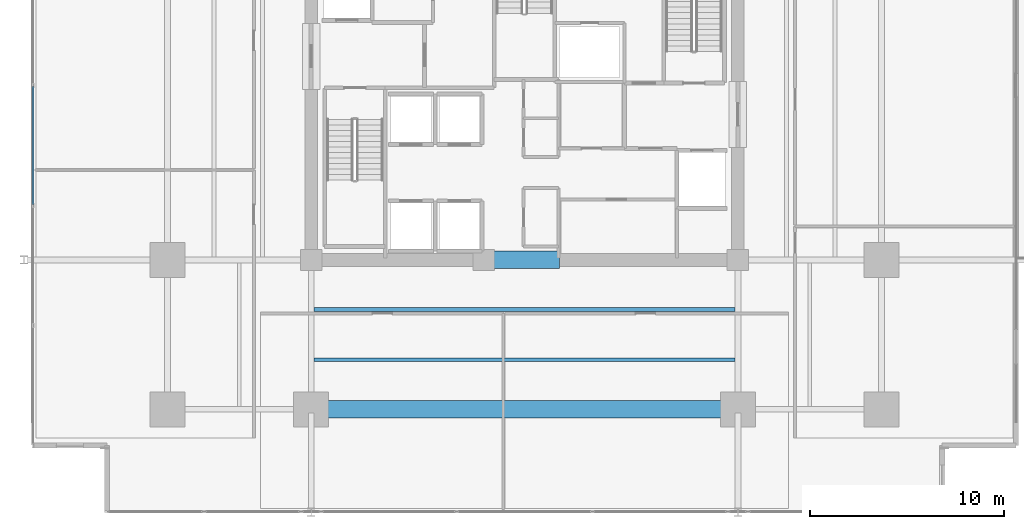
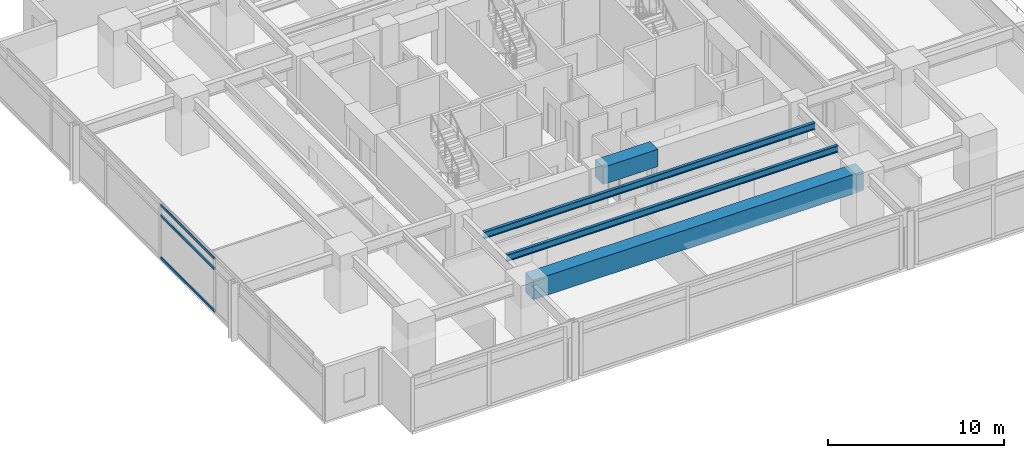
# One storey, part 5 of 22: 4 beams, 3 members, 1 element without a shape of its own.
"""IFC4 building model written with IfcOpenShell, lengths in metres."""

from ifc_helpers import new_model, si_unit, direction, frame, origin, origin_2d, place, context, subcontext, project, spatial, rectangle, hollow_rectangle, i_section, extrude, material, material_profile, profile_set, type_object, element, aggregate, save


model = new_model("IFC4")

# Units and contexts
model_context = context("Model", 3, precision=1e-05, world=origin(), true_north=direction((0.0, 1.0)))
body_context = subcontext(model_context, "Body", "Model", "MODEL_VIEW")
ifc_project = project(units=[si_unit("LENGTHUNIT", "METRE"), si_unit("AREAUNIT", "SQUARE_METRE"), si_unit("VOLUMEUNIT", "CUBIC_METRE"), si_unit("PLANEANGLEUNIT", "RADIAN"), si_unit("MASSUNIT", "GRAM", prefix="KILO")], contexts=[model_context])

# Site, building, storey
site_placement = place(None, origin())
site = spatial("IfcSite", under=ifc_project, at=site_placement, CompositionType="ELEMENT")
building_placement = place(site_placement, origin())
building = spatial("IfcBuilding", under=site, at=building_placement, Name="Kovane Verandah Tower", CompositionType="ELEMENT")
storey_placement = place(building_placement, frame((0.0, 0.0, 43.60009765625)))
storey = spatial("IfcBuildingStorey", under=building, at=storey_placement, Name="L09", CompositionType="ELEMENT", Elevation=43.60009765625)

# Beams
ifc_material_1 = material(Name="Concrete C80/95", Category="concrete")
ifc_material_profile_1 = material_profile(ifc_material_1, rectangle(XDim=0.89990234375, YDim=1.199951171875, at=origin_2d()), Name="RCB900x1200")
ifc_profile_set_1 = profile_set([ifc_material_profile_1], Name="Concrete C80/95")
beam_type_1 = type_object("IfcBeamType", Name="BM-LINTEL-900x1200", PredefinedType="LINTEL", material=ifc_profile_set_1)
beam_1_placement = place(storey_placement, frame((38.199951171875, 18.5, 3.159912109375), z_axis=(1.0, 0.0, 0.0), x_axis=(0.0, 1.0, 0.0)))
element("IfcBeam", 1, at=beam_1_placement, inside=storey, type_object=beam_type_1, Name="L09 Core Coupling Lintel CL-S", PredefinedType="LINTEL", context=body_context, shape_type="SweptSolid", body=[
    extrude(rectangle(XDim=0.89990234375, YDim=1.199951171875, at=origin_2d()), origin(), (0.0, 0.0, 1.0), 3.60009765625),
])
ifc_material_profile_2 = material_profile(ifc_material_1, rectangle(XDim=0.89990234375, YDim=1.35009765625, at=origin_2d()), Name="RCB900x1350")
ifc_profile_set_2 = profile_set([ifc_material_profile_2], Name="Concrete C80/95")
beam_type_2 = type_object("IfcBeamType", Name="BM-TR-900x1350", PredefinedType="BEAM", material=ifc_profile_set_2)
beam_2_placement = place(storey_placement, frame((29.179931640625, 10.800048828125, 3.0849609375), z_axis=(1.0, 0.0, 0.0), x_axis=(0.0, 1.0, 0.0)))
element("IfcBeam", 2, at=beam_2_placement, inside=storey, type_object=beam_type_2, Name="L09 Primary Tower Girder G-RS2", PredefinedType="BEAM", context=body_context, shape_type="SweptSolid", body=[
    extrude(rectangle(XDim=0.89990234375, YDim=1.35009765625, at=origin_2d()), origin(), (0.0, 0.0, 1.0), 21.64013671875),
])

# Curtain wall, members
ifc_material_2 = material(Name="Champagne Anodised Aluminium Frame with Low-E Clear Laminated Glass", Category="aluminium")
curtain_wall_type = type_object("IfcCurtainWallType", Name="CW-SYS-02-LOW", PredefinedType="NOTDEFINED", material=ifc_material_2)
curtain_wall_placement = place(storey_placement, origin())
curtain_wall = element("IfcCurtainWall", 3, at=curtain_wall_placement, inside=storey, type_object=curtain_wall_type, Name="L09 W Unitised Curtain Wall", PredefinedType="NOTDEFINED")
ifc_material_3 = material(Name="Champagne Anodised Aluminium 6063-T6", Category="aluminium")
ifc_material_profile_3 = material_profile(ifc_material_3, hollow_rectangle(XDim=0.0849609375, YDim=0.18994140625, WallThickness=0.00390625, at=origin_2d()), Name="AL85x190x4")
ifc_profile_set_3 = profile_set([ifc_material_profile_3], Name="Champagne Anodised Aluminium 6063-T6")
member_type = type_object("IfcMemberType", Name="CW-TRN-85x190", PredefinedType="USERDEFINED", material=ifc_profile_set_3)
member_1_placement = place(storey_placement, frame((14.6669921875, 27.449951171875, 0.0498046875), z_axis=(0.0, -1.0, 0.0), x_axis=(1.0, 0.0, 0.0)))
member_1 = element("IfcMember", 4, at=member_1_placement, type_object=member_type, Name="L09 W Unitised Curtain Wall Transom TB Bay 4", ObjectType="TRANSOM", PredefinedType="USERDEFINED", context=body_context, shape_type="SweptSolid", body=[
    extrude(hollow_rectangle(XDim=0.0849609375, YDim=0.18994140625, WallThickness=0.00390625, at=origin_2d()), origin(), (0.0, 0.0, 1.0), 6.091064453125),
])
member_2_placement = place(storey_placement, frame((14.6669921875, 27.449951171875, 2.97998046875), z_axis=(0.0, -1.0, 0.0), x_axis=(1.0, 0.0, 0.0)))
member_2 = element("IfcMember", 5, at=member_2_placement, type_object=member_type, Name="L09 W Unitised Curtain Wall Transom TM Bay 4", ObjectType="TRANSOM", PredefinedType="USERDEFINED", context=body_context, shape_type="SweptSolid", body=[
    extrude(hollow_rectangle(XDim=0.0849609375, YDim=0.18994140625, WallThickness=0.00390625, at=origin_2d()), origin(), (0.0, 0.0, 1.0), 6.091064453125),
])
member_3_placement = place(storey_placement, frame((14.6669921875, 27.449951171875, 3.7099609375), z_axis=(0.0, -1.0, 0.0), x_axis=(1.0, 0.0, 0.0)))
member_3 = element("IfcMember", 6, at=member_3_placement, type_object=member_type, Name="L09 W Unitised Curtain Wall Transom TT Bay 4", ObjectType="TRANSOM", PredefinedType="USERDEFINED", context=body_context, shape_type="SweptSolid", body=[
    extrude(hollow_rectangle(XDim=0.0849609375, YDim=0.18994140625, WallThickness=0.00390625, at=origin_2d()), origin(), (0.0, 0.0, 1.0), 6.091064453125),
])
aggregate(curtain_wall, [member_1, member_2, member_3])

# Beams
ifc_material_4 = material(Name="Steel S355", Category="steel")
ifc_material_profile_4 = material_profile(ifc_material_4, i_section(OverallWidth=0.19287109375, OverallDepth=0.46728515625, WebThickness=0.011474609375, FlangeThickness=0.01953125, FilletRadius=0.01025390625, at=origin_2d()), Name="UB457x191x98")
ifc_profile_set_4 = profile_set([ifc_material_profile_4], Name="Steel S355")
beam_type_3 = type_object("IfcBeamType", Name="JST-UB457x98", PredefinedType="JOIST", material=ifc_profile_set_4)
for number, where, z_axis, x_axis, name in (
    (7, (29.14501953125, 13.35009765625, 3.5263671875), (1.0, 0.0, 0.0), (0.0, 1.0, 0.0), "L09 Secondary Composite Joist J-S1"),
    (8, (29.14501953125, 15.949951171875, 3.5263671875), (1.0, 0.0, 0.0), (0.0, 1.0, 0.0), "L09 Secondary Composite Joist J-S2"),
):
    element("IfcBeam", number, at=place(storey_placement, frame(where, z_axis=z_axis, x_axis=x_axis)), inside=storey, type_object=beam_type_3, Name=name, PredefinedType="JOIST", context=body_context, shape_type="SweptSolid", body=[
        extrude(i_section(OverallWidth=0.19287109375, OverallDepth=0.46728515625, WebThickness=0.011474609375, FlangeThickness=0.01953125, FilletRadius=0.01025390625, at=origin_2d()), origin(), (0.0, 0.0, 1.0), 21.7099609375),
    ])

save(model, "model.ifc")
